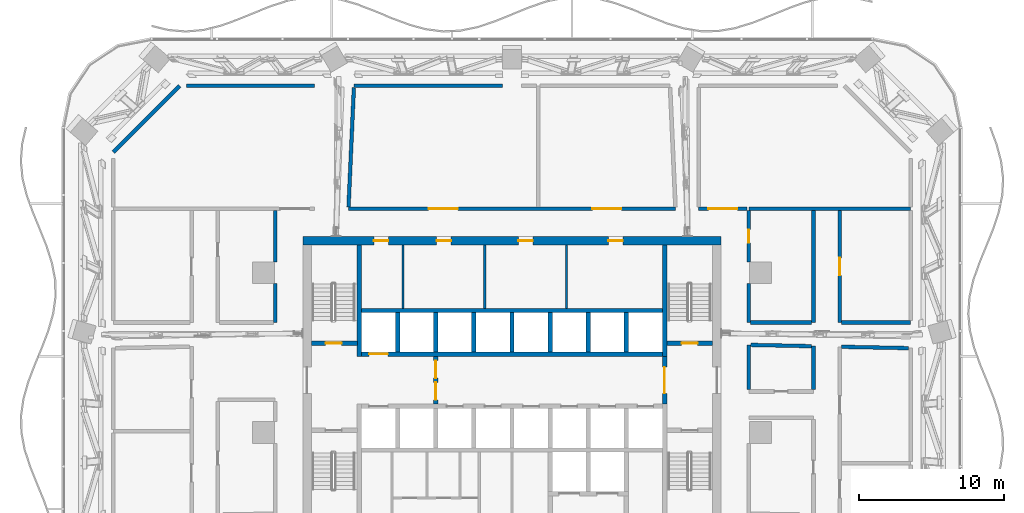
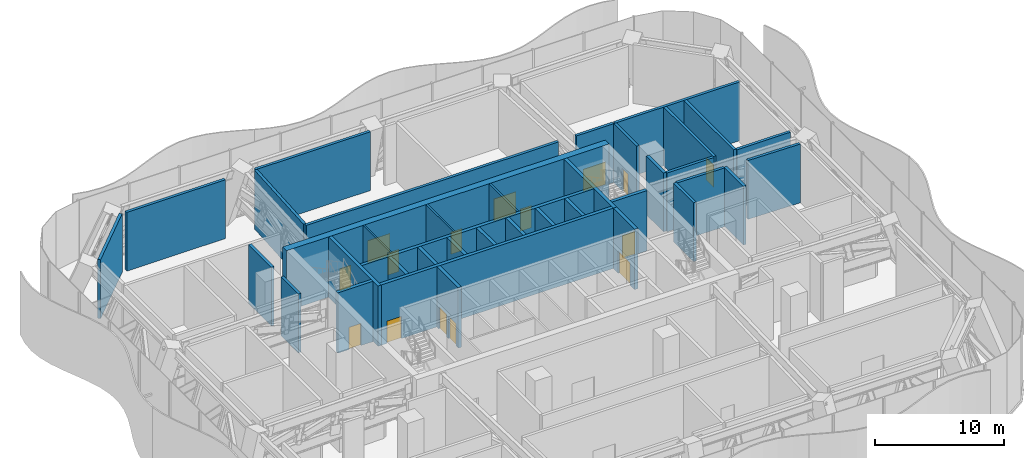
# One storey, part 13 of 32: 38 walls, 15 doors, 15 openings.
"""IFC4 building model written with IfcOpenShell, lengths in metres."""

from ifc_helpers import new_model, si_unit, direction, frame, frame_2d, origin, place, context, subcontext, project, spatial, rectangle, extrude, material, layer, layer_set, type_object, element, fill, save


model = new_model("IFC4")

# Units and contexts
model_context = context("Model", 3, precision=1e-05, world=origin(), true_north=direction((0.0, 1.0)))
body_context = subcontext(model_context, "Body", "Model", "MODEL_VIEW")
ifc_project = project(units=[si_unit("LENGTHUNIT", "METRE"), si_unit("AREAUNIT", "SQUARE_METRE"), si_unit("VOLUMEUNIT", "CUBIC_METRE"), si_unit("PLANEANGLEUNIT", "RADIAN"), si_unit("MASSUNIT", "GRAM", prefix="KILO")], contexts=[model_context])

# Site, building, storey
site_placement = place(None, origin())
site = spatial("IfcSite", under=ifc_project, at=site_placement, CompositionType="ELEMENT")
building_placement = place(site_placement, origin())
building = spatial("IfcBuilding", under=site, at=building_placement, Name="Mopane Tessera Tower", CompositionType="ELEMENT")
storey_placement = place(building_placement, frame((0.0, 0.0, 88.60009765625)))
storey = spatial("IfcBuildingStorey", under=building, at=storey_placement, Name="L17", CompositionType="ELEMENT", Elevation=88.60009765625)

# Walls
ifc_material_1 = material(Name="Fire-rated gypsum board partition")
ifc_layer_1 = layer(ifc_material_1, 0.14990234375)
ifc_layer_set_1 = layer_set([ifc_layer_1], Name="Fire-rated gypsum board partition")
wall_type_1 = type_object("IfcWallType", Name="Core room partition 150 mm", PredefinedType="PARTITIONING", material=ifc_layer_set_1)
for number, where, z_axis, x_axis, name in (
    (1, (-7.5, 8.550048828125, 0.0), (0.0, 0.0, 1.0), (0.0, 1.0, 0.0), "L17 Room partition"),
    (2, (-1.875, 8.550048828125, 0.0), (0.0, 0.0, 1.0), (0.0, 1.0, 0.0), "L17 Room partition"),
    (3, (3.75, 8.550048828125, 0.0), (0.0, 0.0, 1.0), (0.0, 1.0, 0.0), "L17 Room partition"),
):
    element("IfcWall", number, at=place(storey_placement, frame(where, z_axis=z_axis, x_axis=x_axis)), inside=storey, type_object=wall_type_1, Name=name, PredefinedType="PARTITIONING", context=body_context, shape_type="SweptSolid", body=[
        extrude(rectangle(XDim=4.349853515625, YDim=0.14990234375, at=frame_2d((2.1748046875, 0.0))), origin(), (0.0, 0.0, 1.0), 5.699951171875),
    ])

# Wall, openings, doors
ifc_material_2 = material(Name="Concrete C70/85", Category="concrete")
ifc_layer_2 = layer(ifc_material_2, 0.60009765625)
ifc_layer_set_2 = layer_set([ifc_layer_2], Name="Concrete C70/85")
wall_type_2 = type_object("IfcWallType", Name="Core shear wall 600 mm", PredefinedType="SHEAR", material=ifc_layer_set_2)
wall_1_placement = place(storey_placement, frame((-14.39990234375, 13.199951171875, 0.0), z_axis=(0.0, 0.0, 1.0), x_axis=(1.0, 0.0, 0.0)))
wall_1 = element("IfcWall", 4, at=wall_1_placement, inside=storey, type_object=wall_type_2, Name="L17 Core wall north", PredefinedType="SHEAR", context=body_context, shape_type="SweptSolid", body=[
    extrude(rectangle(XDim=28.7998046875, YDim=0.60009765625, at=frame_2d((14.39990234375, 0.0))), origin(), (0.0, 0.0, 1.0), 5.699951171875),
])
opening_1_placement = place(wall_1_placement, frame((4.89990234375, 0.0, 0.0)))
opening_1 = element("IfcOpeningElement", 5, at=opening_1_placement, cuts=wall_1, Name="Opening RD1", PredefinedType="OPENING", context=body_context, shape_type="SweptSolid", body=[
    extrude(rectangle(XDim=1.0, YDim=2.10009765625, at=frame_2d((0.5, 1.050048828125))), frame((0.0, 0.31201171875, 0.0), z_axis=(0.0, -1.0, 0.0), x_axis=(1.0, 0.0, 0.0)), (0.0, 0.0, 1.0), 0.6240234375),
])
opening_2_placement = place(wall_1_placement, frame((9.21240234375, 0.0, 0.0)))
opening_2 = element("IfcOpeningElement", 6, at=opening_2_placement, cuts=wall_1, Name="Opening RD1", PredefinedType="OPENING", context=body_context, shape_type="SweptSolid", body=[
    extrude(rectangle(XDim=1.0, YDim=2.10009765625, at=frame_2d((0.5, 1.050048828125))), frame((0.0, 0.31201171875, 0.0), z_axis=(0.0, -1.0, 0.0), x_axis=(1.0, 0.0, 0.0)), (0.0, 0.0, 1.0), 0.6240234375),
])
opening_3_placement = place(wall_1_placement, frame((14.83740234375, 0.0, 0.0)))
opening_3 = element("IfcOpeningElement", 7, at=opening_3_placement, cuts=wall_1, Name="Opening RD1", PredefinedType="OPENING", context=body_context, shape_type="SweptSolid", body=[
    extrude(rectangle(XDim=1.0, YDim=2.10009765625, at=frame_2d((0.5, 1.050048828125))), frame((0.0, 0.31201171875, 0.0), z_axis=(0.0, -1.0, 0.0), x_axis=(1.0, 0.0, 0.0)), (0.0, 0.0, 1.0), 0.6240234375),
])
opening_4_placement = place(wall_1_placement, frame((21.02490234375, 0.0, 0.0)))
opening_4 = element("IfcOpeningElement", 8, at=opening_4_placement, cuts=wall_1, Name="Opening RD1", PredefinedType="OPENING", context=body_context, shape_type="SweptSolid", body=[
    extrude(rectangle(XDim=1.0, YDim=2.10009765625, at=frame_2d((0.5, 1.050048828125))), frame((0.0, 0.31201171875, 0.0), z_axis=(0.0, -1.0, 0.0), x_axis=(1.0, 0.0, 0.0)), (0.0, 0.0, 1.0), 0.6240234375),
])
ifc_material_3 = material(Name="Timber door", Category="wood")
door_type_1 = type_object("IfcDoorType", Name="Core room door 1000 x 2100", OperationType="SINGLE_SWING_LEFT", PredefinedType="DOOR", material=ifc_material_3)
door_1_placement = place(opening_1_placement, origin())
door_1 = element("IfcDoor", 9, at=door_1_placement, inside=storey, type_object=door_type_1, Name="L17 Room door", OperationType="SINGLE_SWING_LEFT", OverallHeight=2.10009765625, OverallWidth=1.0, PredefinedType="DOOR", context=body_context, shape_type="SweptSolid", body=[
    extrude(rectangle(XDim=1.0, YDim=2.10009765625, at=frame_2d((0.5, 1.050048828125))), frame((0.0, 0.02490234375, 0.0), z_axis=(0.0, -1.0, 0.0), x_axis=(1.0, 0.0, 0.0)), (0.0, 0.0, 1.0), 0.050048828125),
])
fill(opening_1, door_1)
door_2_placement = place(opening_2_placement, origin())
door_2 = element("IfcDoor", 10, at=door_2_placement, inside=storey, type_object=door_type_1, Name="L17 Room door", OperationType="SINGLE_SWING_LEFT", OverallHeight=2.10009765625, OverallWidth=1.0, PredefinedType="DOOR", context=body_context, shape_type="SweptSolid", body=[
    extrude(rectangle(XDim=1.0, YDim=2.10009765625, at=frame_2d((0.5, 1.050048828125))), frame((0.0, 0.02490234375, 0.0), z_axis=(0.0, -1.0, 0.0), x_axis=(1.0, 0.0, 0.0)), (0.0, 0.0, 1.0), 0.050048828125),
])
fill(opening_2, door_2)
door_3_placement = place(opening_3_placement, origin())
door_3 = element("IfcDoor", 11, at=door_3_placement, inside=storey, type_object=door_type_1, Name="L17 Room door", OperationType="SINGLE_SWING_LEFT", OverallHeight=2.10009765625, OverallWidth=1.0, PredefinedType="DOOR", context=body_context, shape_type="SweptSolid", body=[
    extrude(rectangle(XDim=1.0, YDim=2.10009765625, at=frame_2d((0.5, 1.050048828125))), frame((0.0, 0.02490234375, 0.0), z_axis=(0.0, -1.0, 0.0), x_axis=(1.0, 0.0, 0.0)), (0.0, 0.0, 1.0), 0.050048828125),
])
fill(opening_3, door_3)
door_4_placement = place(opening_4_placement, origin())
door_4 = element("IfcDoor", 12, at=door_4_placement, inside=storey, type_object=door_type_1, Name="L17 Room door", OperationType="SINGLE_SWING_LEFT", OverallHeight=2.10009765625, OverallWidth=1.0, PredefinedType="DOOR", context=body_context, shape_type="SweptSolid", body=[
    extrude(rectangle(XDim=1.0, YDim=2.10009765625, at=frame_2d((0.5, 1.050048828125))), frame((0.0, 0.02490234375, 0.0), z_axis=(0.0, -1.0, 0.0), x_axis=(1.0, 0.0, 0.0)), (0.0, 0.0, 1.0), 0.050048828125),
])
fill(opening_4, door_4)

# Walls
ifc_material_4 = material(Name="Concrete C60/75", Category="concrete")
ifc_layer_3 = layer(ifc_material_4, 0.300048828125)
ifc_layer_set_3 = layer_set([ifc_layer_3], Name="Concrete C60/75")
wall_type_3 = type_object("IfcWallType", Name="Core spine wall 300 mm", PredefinedType="SHEAR", material=ifc_layer_set_3)
for number, where, z_axis, x_axis, name in (
    (13, (-10.5, 5.25, 0.0), (0.0, 0.0, 1.0), (0.0, 1.0, 0.0), "L17 Core spine wall"),
    (14, (10.5, 5.25, 0.0), (0.0, 0.0, 1.0), (0.0, 1.0, 0.0), "L17 Core spine wall"),
):
    element("IfcWall", number, at=place(storey_placement, frame(where, z_axis=z_axis, x_axis=x_axis)), inside=storey, type_object=wall_type_3, Name=name, PredefinedType="SHEAR", context=body_context, shape_type="SweptSolid", body=[
        extrude(rectangle(XDim=7.64990234375, YDim=0.300048828125, at=frame_2d((3.824951171875, 0.0))), origin(), (0.0, 0.0, 1.0), 5.699951171875),
    ])

# Wall, opening, door
ifc_material_5 = material(Name="Concrete C50/60", Category="concrete")
ifc_layer_4 = layer(ifc_material_5, 0.300048828125)
ifc_layer_set_4 = layer_set([ifc_layer_4], Name="Concrete C50/60")
wall_type_4 = type_object("IfcWallType", Name="Lift and stair shaft wall 300 mm", PredefinedType="SOLIDWALL", material=ifc_layer_set_4)
wall_2_placement = place(storey_placement, frame((-13.800048828125, 6.14990234375, 0.0), z_axis=(0.0, 0.0, 1.0), x_axis=(1.0, 0.0, 0.0)))
wall_2 = element("IfcWall", 15, at=wall_2_placement, inside=storey, type_object=wall_type_4, Name="L17 Stair enclosure wall", PredefinedType="SOLIDWALL", context=body_context, shape_type="SweptSolid", body=[
    extrude(rectangle(XDim=3.150146484375, YDim=0.300048828125, at=frame_2d((1.5751953125, 0.0))), origin(), (0.0, 0.0, 1.0), 5.699951171875),
])
opening_5_placement = place(wall_2_placement, frame((0.97509765625, 0.0, 0.0)))
opening_5 = element("IfcOpeningElement", 16, at=opening_5_placement, cuts=wall_2, Name="Opening SD1", PredefinedType="OPENING", context=body_context, shape_type="SweptSolid", body=[
    extrude(rectangle(XDim=1.10009765625, YDim=2.10009765625, at=frame_2d((0.550048828125, 1.050048828125))), frame((0.0, 0.162109375, 0.0), z_axis=(0.0, -1.0, 0.0), x_axis=(1.0, 0.0, 0.0)), (0.0, 0.0, 1.0), 0.323974609375),
])
ifc_material_6 = material(Name="Steel fire door", Category="steel")
door_type_2 = type_object("IfcDoorType", Name="Stair fire door 1100 x 2100", OperationType="SINGLE_SWING_LEFT", PredefinedType="DOOR", material=ifc_material_6)
door_5_placement = place(opening_5_placement, origin())
door_5 = element("IfcDoor", 17, at=door_5_placement, inside=storey, type_object=door_type_2, Name="L17 Stair door ST2", OperationType="SINGLE_SWING_LEFT", OverallHeight=2.10009765625, OverallWidth=1.10009765625, PredefinedType="DOOR", context=body_context, shape_type="SweptSolid", body=[
    extrude(rectangle(XDim=1.10009765625, YDim=2.10009765625, at=frame_2d((0.550048828125, 1.050048828125))), frame((0.0, 0.02490234375, 0.0), z_axis=(0.0, -1.0, 0.0), x_axis=(1.0, 0.0, 0.0)), (0.0, 0.0, 1.0), 0.050048828125),
])
fill(opening_5, door_5)

wall_3_placement = place(storey_placement, frame((10.64990234375, 6.14990234375, 0.0), z_axis=(0.0, 0.0, 1.0), x_axis=(1.0, 0.0, 0.0)))
wall_3 = element("IfcWall", 18, at=wall_3_placement, inside=storey, type_object=wall_type_4, Name="L17 Stair enclosure wall", PredefinedType="SOLIDWALL", context=body_context, shape_type="SweptSolid", body=[
    extrude(rectangle(XDim=3.150146484375, YDim=0.300048828125, at=frame_2d((1.5751953125, 0.0))), origin(), (0.0, 0.0, 1.0), 5.699951171875),
])
opening_6_placement = place(wall_3_placement, frame((1.02490234375, 0.0, 0.0)))
opening_6 = element("IfcOpeningElement", 19, at=opening_6_placement, cuts=wall_3, Name="Opening SD1", PredefinedType="OPENING", context=body_context, shape_type="SweptSolid", body=[
    extrude(rectangle(XDim=1.10009765625, YDim=2.10009765625, at=frame_2d((0.550048828125, 1.050048828125))), frame((0.0, 0.162109375, 0.0), z_axis=(0.0, -1.0, 0.0), x_axis=(1.0, 0.0, 0.0)), (0.0, 0.0, 1.0), 0.323974609375),
])
door_6_placement = place(opening_6_placement, origin())
door_6 = element("IfcDoor", 20, at=door_6_placement, inside=storey, type_object=door_type_2, Name="L17 Stair door ST4", OperationType="SINGLE_SWING_RIGHT", OverallHeight=2.10009765625, OverallWidth=1.10009765625, PredefinedType="DOOR", context=body_context, shape_type="SweptSolid", body=[
    extrude(rectangle(XDim=1.10009765625, YDim=2.10009765625, at=frame_2d((0.550048828125, 1.050048828125))), frame((0.0, 0.02490234375, 0.0), z_axis=(0.0, -1.0, 0.0), x_axis=(1.0, 0.0, 0.0)), (0.0, 0.0, 1.0), 0.050048828125),
])
fill(opening_6, door_6)

wall_4_placement = place(storey_placement, frame((-10.35009765625, 5.39990234375, 0.0), z_axis=(0.0, 0.0, 1.0), x_axis=(1.0, 0.0, 0.0)))
wall_4 = element("IfcWall", 21, at=wall_4_placement, inside=storey, type_object=wall_type_4, Name="L17 Lift shaft front wall", PredefinedType="SOLIDWALL", context=body_context, shape_type="SweptSolid", body=[
    extrude(rectangle(XDim=20.7001953125, YDim=0.300048828125, at=frame_2d((10.35009765625, 0.0))), origin(), (0.0, 0.0, 1.0), 5.699951171875),
])
opening_7_placement = place(wall_4_placement, frame((0.512451171875, 0.0, 0.0)))
opening_7 = element("IfcOpeningElement", 22, at=opening_7_placement, cuts=wall_4, Name="Opening LD2", PredefinedType="OPENING", context=body_context, shape_type="SweptSolid", body=[
    extrude(rectangle(XDim=1.300048828125, YDim=2.10009765625, at=frame_2d((0.64990234375, 1.050048828125))), frame((0.0, 0.162109375, 0.0), z_axis=(0.0, -1.0, 0.0), x_axis=(1.0, 0.0, 0.0)), (0.0, 0.0, 1.0), 0.323974609375),
])
ifc_material_7 = material(Name="Stainless steel sliding door", Category="steel")
door_type_3 = type_object("IfcDoorType", Name="Fire-fighting lift landing door 1300 x 2100", OperationType="DOUBLE_DOOR_SLIDING", PredefinedType="DOOR", material=ifc_material_7)
door_7_placement = place(opening_7_placement, origin())
door_7 = element("IfcDoor", 23, at=door_7_placement, inside=storey, type_object=door_type_3, Name="L17 Lift landing door FF2", OperationType="DOUBLE_DOOR_SLIDING", OverallHeight=2.10009765625, OverallWidth=1.300048828125, PredefinedType="DOOR", context=body_context, shape_type="SweptSolid", body=[
    extrude(rectangle(XDim=1.300048828125, YDim=2.10009765625, at=frame_2d((0.64990234375, 1.050048828125))), frame((0.0, 0.02490234375, 0.0), z_axis=(0.0, -1.0, 0.0), x_axis=(1.0, 0.0, 0.0)), (0.0, 0.0, 1.0), 0.050048828125),
])
fill(opening_7, door_7)

# Walls
wall_5_placement = place(storey_placement, frame((-10.35009765625, 8.39990234375, 0.0), z_axis=(0.0, 0.0, 1.0), x_axis=(1.0, 0.0, 0.0)))
element("IfcWall", 24, at=wall_5_placement, inside=storey, type_object=wall_type_4, Name="L17 Lift shaft rear wall", PredefinedType="SOLIDWALL", context=body_context, shape_type="SweptSolid", body=[
    extrude(rectangle(XDim=20.7001953125, YDim=0.300048828125, at=frame_2d((10.35009765625, 0.0))), origin(), (0.0, 0.0, 1.0), 5.699951171875),
])
for number, where, z_axis, x_axis, name in (
    (25, (-7.875, 5.550048828125, 0.0), (0.0, 0.0, 1.0), (0.0, 1.0, 0.0), "L17 Lift shaft wall"),
    (26, (-5.25, 5.550048828125, 0.0), (0.0, 0.0, 1.0), (0.0, 1.0, 0.0), "L17 Lift shaft wall"),
    (27, (-2.625, 5.550048828125, 0.0), (0.0, 0.0, 1.0), (0.0, 1.0, 0.0), "L17 Lift shaft wall"),
    (28, (0.0, 5.550048828125, 0.0), (0.0, 0.0, 1.0), (0.0, 1.0, 0.0), "L17 Lift shaft wall"),
    (29, (2.625, 5.550048828125, 0.0), (0.0, 0.0, 1.0), (0.0, 1.0, 0.0), "L17 Lift shaft wall"),
    (30, (5.25, 5.550048828125, 0.0), (0.0, 0.0, 1.0), (0.0, 1.0, 0.0), "L17 Lift shaft wall"),
    (31, (7.875, 5.550048828125, 0.0), (0.0, 0.0, 1.0), (0.0, 1.0, 0.0), "L17 Lift shaft wall"),
):
    element("IfcWall", number, at=place(storey_placement, frame(where, z_axis=z_axis, x_axis=x_axis)), inside=storey, type_object=wall_type_4, Name=name, PredefinedType="SOLIDWALL", context=body_context, shape_type="SweptSolid", body=[
        extrude(rectangle(XDim=2.699951171875, YDim=0.300048828125, at=frame_2d((1.35009765625, 0.0))), origin(), (0.0, 0.0, 1.0), 5.699951171875),
    ])

# Wall, openings, doors
ifc_material_8 = material(Name="Concrete C50/60", Category="concrete")
ifc_layer_5 = layer(ifc_material_8, 0.300048828125)
ifc_layer_set_5 = layer_set([ifc_layer_5], Name="Concrete C50/60")
wall_type_5 = type_object("IfcWallType", Name="Lobby and refuge room wall 300 mm", PredefinedType="SOLIDWALL", material=ifc_layer_set_5)
wall_6_placement = place(storey_placement, frame((-5.25, 1.949951171875, 0.0), z_axis=(0.0, 0.0, 1.0), x_axis=(0.0, 1.0, 0.0)))
wall_6 = element("IfcWall", 32, at=wall_6_placement, inside=storey, type_object=wall_type_5, Name="L17 Fire-fighting lobby wall", PredefinedType="SOLIDWALL", context=body_context, shape_type="SweptSolid", body=[
    extrude(rectangle(XDim=3.300048828125, YDim=0.300048828125, at=frame_2d((1.64990234375, 0.0))), origin(), (0.0, 0.0, 1.0), 5.699951171875),
])
opening_8_placement = place(wall_6_placement, frame((0.300048828125, 0.0, 0.0)))
opening_8 = element("IfcOpeningElement", 33, at=opening_8_placement, cuts=wall_6, Name="Opening SD3", PredefinedType="OPENING", context=body_context, shape_type="SweptSolid", body=[
    extrude(rectangle(XDim=1.199951171875, YDim=2.10009765625, at=frame_2d((0.60009765625, 1.050048828125))), frame((0.0, 0.162109375, 0.0), z_axis=(0.0, -1.0, 0.0), x_axis=(1.0, 0.0, 0.0)), (0.0, 0.0, 1.0), 0.323974609375),
])
opening_9_placement = place(wall_6_placement, frame((1.800048828125, 0.0, 0.0)))
opening_9 = element("IfcOpeningElement", 34, at=opening_9_placement, cuts=wall_6, Name="Opening SD3", PredefinedType="OPENING", context=body_context, shape_type="SweptSolid", body=[
    extrude(rectangle(XDim=1.199951171875, YDim=2.10009765625, at=frame_2d((0.60009765625, 1.050048828125))), frame((0.0, 0.162109375, 0.0), z_axis=(0.0, -1.0, 0.0), x_axis=(1.0, 0.0, 0.0)), (0.0, 0.0, 1.0), 0.323974609375),
])
ifc_material_9 = material(Name="Steel fire door", Category="steel")
door_type_4 = type_object("IfcDoorType", Name="Lobby fire door 1200 x 2100", OperationType="SINGLE_SWING_LEFT", PredefinedType="DOOR", material=ifc_material_9)
door_8_placement = place(opening_8_placement, origin())
door_8 = element("IfcDoor", 35, at=door_8_placement, inside=storey, type_object=door_type_4, Name="L17 Fire-fighting lobby door", OperationType="SINGLE_SWING_LEFT", OverallHeight=2.10009765625, OverallWidth=1.199951171875, PredefinedType="DOOR", context=body_context, shape_type="SweptSolid", body=[
    extrude(rectangle(XDim=1.199951171875, YDim=2.10009765625, at=frame_2d((0.60009765625, 1.050048828125))), frame((0.0, 0.02490234375, 0.0), z_axis=(0.0, -1.0, 0.0), x_axis=(1.0, 0.0, 0.0)), (0.0, 0.0, 1.0), 0.050048828125),
])
fill(opening_8, door_8)
door_9_placement = place(opening_9_placement, origin())
door_9 = element("IfcDoor", 36, at=door_9_placement, inside=storey, type_object=door_type_4, Name="L17 Fire-fighting lobby door", OperationType="SINGLE_SWING_RIGHT", OverallHeight=2.10009765625, OverallWidth=1.199951171875, PredefinedType="DOOR", context=body_context, shape_type="SweptSolid", body=[
    extrude(rectangle(XDim=1.199951171875, YDim=2.10009765625, at=frame_2d((0.60009765625, 1.050048828125))), frame((0.0, 0.02490234375, 0.0), z_axis=(0.0, -1.0, 0.0), x_axis=(1.0, 0.0, 0.0)), (0.0, 0.0, 1.0), 0.050048828125),
])
fill(opening_9, door_9)

# Wall, opening, door
wall_7_placement = place(storey_placement, frame((10.5, 1.949951171875, 0.0), z_axis=(0.0, 0.0, 1.0), x_axis=(0.0, 1.0, 0.0)))
wall_7 = element("IfcWall", 37, at=wall_7_placement, inside=storey, type_object=wall_type_5, Name="L17 Refuge room wall", PredefinedType="SOLIDWALL", context=body_context, shape_type="SweptSolid", body=[
    extrude(rectangle(XDim=3.300048828125, YDim=0.300048828125, at=frame_2d((1.64990234375, 0.0))), origin(), (0.0, 0.0, 1.0), 5.699951171875),
])
opening_10_placement = place(wall_7_placement, frame((0.75, 0.0, 0.0)))
opening_10 = element("IfcOpeningElement", 38, at=opening_10_placement, cuts=wall_7, Name="Opening SD4", PredefinedType="OPENING", context=body_context, shape_type="SweptSolid", body=[
    extrude(rectangle(XDim=1.800048828125, YDim=2.10009765625, at=frame_2d((0.89990234375, 1.050048828125))), frame((0.0, 0.162109375, 0.0), z_axis=(0.0, -1.0, 0.0), x_axis=(1.0, 0.0, 0.0)), (0.0, 0.0, 1.0), 0.323974609375),
])
ifc_material_10 = material(Name="Steel fire door", Category="steel")
door_type_5 = type_object("IfcDoorType", Name="Refuge room double door 1800 x 2100", OperationType="DOUBLE_DOOR_SINGLE_SWING", PredefinedType="DOOR", material=ifc_material_10)
door_10_placement = place(opening_10_placement, origin())
door_10 = element("IfcDoor", 39, at=door_10_placement, inside=storey, type_object=door_type_5, Name="L17 Refuge room door", OperationType="DOUBLE_DOOR_SINGLE_SWING", OverallHeight=2.10009765625, OverallWidth=1.800048828125, PredefinedType="DOOR", context=body_context, shape_type="SweptSolid", body=[
    extrude(rectangle(XDim=1.800048828125, YDim=2.10009765625, at=frame_2d((0.89990234375, 1.050048828125))), frame((0.0, 0.02490234375, 0.0), z_axis=(0.0, -1.0, 0.0), x_axis=(1.0, 0.0, 0.0)), (0.0, 0.0, 1.0), 0.050048828125),
])
fill(opening_10, door_10)

# Walls
ifc_material_11 = material(Name="Plastered concrete blockwork C20/25", Category="masonry")
ifc_layer_6 = layer(ifc_material_11, 0.25)
ifc_layer_set_6 = layer_set([ifc_layer_6], Name="Plastered concrete blockwork C20/25")
wall_type_6 = type_object("IfcWallType", Name="Plastered blockwork wall 250, rated EI 120", PredefinedType="PARTITIONING", material=ifc_layer_set_6)
wall_8_placement = place(storey_placement, frame((16.425048828125, 7.574951171875, 0.0), z_axis=(0.0, 0.0, 1.0), x_axis=(1.0, 0.0, 0.0)))
element("IfcWall", 40, at=wall_8_placement, inside=storey, type_object=wall_type_6, Name="Partition L17:023", PredefinedType="PARTITIONING", context=body_context, shape_type="SweptSolid", body=[
    extrude(rectangle(XDim=4.199951171875, YDim=0.25, at=frame_2d((2.10009765625, 0.0))), origin(), (0.0, 0.0, 1.0), 5.5498046875),
])
wall_9_placement = place(storey_placement, frame((22.675048828125, 7.574951171875, 0.0), z_axis=(0.0, 0.0, 1.0), x_axis=(1.0, 0.0, 0.0)))
element("IfcWall", 41, at=wall_9_placement, inside=storey, type_object=wall_type_6, Name="Partition L17:024", PredefinedType="PARTITIONING", context=body_context, shape_type="SweptSolid", body=[
    extrude(rectangle(XDim=4.7548828125, YDim=0.25, at=frame_2d((2.37744140625, 0.0))), origin(), (0.0, 0.0, 1.0), 5.5498046875),
])

# Wall, openings, doors
wall_10_placement = place(storey_placement, frame((-11.2548828125, 15.39990234375, 0.0), z_axis=(0.0, 0.0, 1.0), x_axis=(1.0, 0.0, 0.0)))
wall_10 = element("IfcWall", 42, at=wall_10_placement, inside=storey, type_object=wall_type_6, Name="Partition L17:026", PredefinedType="PARTITIONING", context=body_context, shape_type="SweptSolid", body=[
    extrude(rectangle(XDim=22.509765625, YDim=0.25, at=frame_2d((11.2548828125, 0.0))), origin(), (0.0, 0.0, 1.0), 5.5498046875),
])
opening_11_placement = place(wall_10_placement, frame((5.52490234375, 0.0, 0.0)))
opening_11 = element("IfcOpeningElement", 43, at=opening_11_placement, cuts=wall_10, Name="Opening L17-10", PredefinedType="OPENING", context=body_context, shape_type="SweptSolid", body=[
    extrude(rectangle(XDim=2.0, YDim=2.10009765625, at=frame_2d((1.0, 1.050048828125))), frame((0.0, 0.136962890625, 0.0), z_axis=(0.0, -1.0, 0.0), x_axis=(1.0, 0.0, 0.0)), (0.0, 0.0, 1.0), 0.27392578125),
])
opening_12_placement = place(wall_10_placement, frame((16.780029296875, 0.0, 0.0)))
opening_12 = element("IfcOpeningElement", 44, at=opening_12_placement, cuts=wall_10, Name="Opening L17-20", PredefinedType="OPENING", context=body_context, shape_type="SweptSolid", body=[
    extrude(rectangle(XDim=2.0, YDim=2.10009765625, at=frame_2d((1.0, 1.050048828125))), frame((0.0, 0.136962890625, 0.0), z_axis=(0.0, -1.0, 0.0), x_axis=(1.0, 0.0, 0.0)), (0.0, 0.0, 1.0), 0.27392578125),
])
ifc_material_12 = material(Name="Timber veneered steel-framed fire door", Category="steel")
door_type_6 = type_object("IfcDoorType", Name="Fire door pair FD120 2000 x 2100", OperationType="DOUBLE_DOOR_SINGLE_SWING", PredefinedType="DOOR", material=ifc_material_12)
door_11_placement = place(opening_11_placement, origin())
door_11 = element("IfcDoor", 45, at=door_11_placement, inside=storey, type_object=door_type_6, Name="Door L17-10", ObjectType="D25B", OperationType="DOUBLE_DOOR_SINGLE_SWING", OverallHeight=2.10009765625, OverallWidth=2.0, PredefinedType="DOOR", context=body_context, shape_type="SweptSolid", body=[
    extrude(rectangle(XDim=2.0, YDim=2.10009765625, at=frame_2d((1.0, 1.050048828125))), frame((0.0, 0.02490234375, 0.0), z_axis=(0.0, -1.0, 0.0), x_axis=(1.0, 0.0, 0.0)), (0.0, 0.0, 1.0), 0.050048828125),
])
fill(opening_11, door_11)
door_12_placement = place(opening_12_placement, origin())
door_12 = element("IfcDoor", 46, at=door_12_placement, inside=storey, type_object=door_type_6, Name="Door L17-20", ObjectType="D25B", OperationType="DOUBLE_DOOR_SINGLE_SWING", OverallHeight=2.10009765625, OverallWidth=2.0, PredefinedType="DOOR", context=body_context, shape_type="SweptSolid", body=[
    extrude(rectangle(XDim=2.0, YDim=2.10009765625, at=frame_2d((1.0, 1.050048828125))), frame((0.0, 0.02490234375, 0.0), z_axis=(0.0, -1.0, 0.0), x_axis=(1.0, 0.0, 0.0)), (0.0, 0.0, 1.0), 0.050048828125),
])
fill(opening_12, door_12)

# Wall, opening, door
wall_11_placement = place(storey_placement, frame((12.844970703125, 15.39990234375, 0.0), z_axis=(0.0, 0.0, 1.0), x_axis=(1.0, 0.0, 0.0)))
wall_11 = element("IfcWall", 47, at=wall_11_placement, inside=storey, type_object=wall_type_6, Name="Partition L17:027", PredefinedType="PARTITIONING", context=body_context, shape_type="SweptSolid", body=[
    extrude(rectangle(XDim=3.330078125, YDim=0.25, at=frame_2d((1.6650390625, 0.0))), origin(), (0.0, 0.0, 1.0), 5.5498046875),
])
opening_13_placement = place(wall_11_placement, frame((0.6650390625, 0.0, 0.0)))
opening_13 = element("IfcOpeningElement", 48, at=opening_13_placement, cuts=wall_11, Name="Opening L17-22", PredefinedType="OPENING", context=body_context, shape_type="SweptSolid", body=[
    extrude(rectangle(XDim=2.0, YDim=2.10009765625, at=frame_2d((1.0, 1.050048828125))), frame((0.0, 0.136962890625, 0.0), z_axis=(0.0, -1.0, 0.0), x_axis=(1.0, 0.0, 0.0)), (0.0, 0.0, 1.0), 0.27392578125),
])
door_13_placement = place(opening_13_placement, origin())
door_13 = element("IfcDoor", 49, at=door_13_placement, inside=storey, type_object=door_type_6, Name="Door L17-22", ObjectType="D25B", OperationType="DOUBLE_DOOR_SINGLE_SWING", OverallHeight=2.10009765625, OverallWidth=2.0, PredefinedType="DOOR", context=body_context, shape_type="SweptSolid", body=[
    extrude(rectangle(XDim=2.0, YDim=2.10009765625, at=frame_2d((1.0, 1.050048828125))), frame((0.0, 0.02490234375, 0.0), z_axis=(0.0, -1.0, 0.0), x_axis=(1.0, 0.0, 0.0)), (0.0, 0.0, 1.0), 0.050048828125),
])
fill(opening_13, door_13)

# Walls
wall_12_placement = place(storey_placement, frame((16.300048828125, 15.39990234375, 0.0), z_axis=(0.0, 0.0, 1.0), x_axis=(1.0, 0.0, 0.0)))
element("IfcWall", 50, at=wall_12_placement, inside=storey, type_object=wall_type_6, Name="Partition L17:028", PredefinedType="PARTITIONING", context=body_context, shape_type="SweptSolid", body=[
    extrude(rectangle(XDim=11.1298828125, YDim=0.25, at=frame_2d((5.56494140625, 0.0))), origin(), (0.0, 0.0, 1.0), 5.5498046875),
])
wall_13_placement = place(storey_placement, frame((-22.39990234375, 23.860107421875, 0.0), z_axis=(0.0, 0.0, 1.0), x_axis=(1.0, 0.0, 0.0)))
element("IfcWall", 51, at=wall_13_placement, inside=storey, type_object=wall_type_6, Name="Partition L17:029", PredefinedType="PARTITIONING", context=body_context, shape_type="SweptSolid", body=[
    extrude(rectangle(XDim=8.81982421875, YDim=0.25, at=frame_2d((4.409912109375, 0.0))), origin(), (0.0, 0.0, 1.0), 5.5498046875),
])
wall_14_placement = place(storey_placement, frame((-10.875, 23.860107421875, 0.0), z_axis=(0.0, 0.0, 1.0), x_axis=(1.0, 0.0, 0.0)))
element("IfcWall", 52, at=wall_14_placement, inside=storey, type_object=wall_type_6, Name="Partition L17:030", PredefinedType="PARTITIONING", context=body_context, shape_type="SweptSolid", body=[
    extrude(rectangle(XDim=10.22509765625, YDim=0.25, at=frame_2d((5.112548828125, 0.0))), origin(), (0.0, 0.0, 1.0), 5.5498046875),
])
wall_15_placement = place(storey_placement, frame((-16.300048828125, 7.574951171875, 0.0), z_axis=(0.0, 0.0, 1.0), x_axis=(0.0, 1.0, 0.0)))
element("IfcWall", 53, at=wall_15_placement, inside=storey, type_object=wall_type_6, Name="Partition L17:046", PredefinedType="PARTITIONING", context=body_context, shape_type="SweptSolid", body=[
    extrude(rectangle(XDim=2.675048828125, YDim=0.25, at=frame_2d((1.33740234375, 0.0))), origin(), (0.0, 0.0, 1.0), 5.5498046875),
])
wall_16_placement = place(storey_placement, frame((-16.300048828125, 11.75, 0.0), z_axis=(0.0, 0.0, 1.0), x_axis=(0.0, 1.0, 0.0)))
element("IfcWall", 54, at=wall_16_placement, inside=storey, type_object=wall_type_6, Name="Partition L17:047", PredefinedType="PARTITIONING", context=body_context, shape_type="SweptSolid", body=[
    extrude(rectangle(XDim=3.52490234375, YDim=0.25, at=frame_2d((1.762451171875, 0.0))), origin(), (0.0, 0.0, 1.0), 5.5498046875),
])
wall_17_placement = place(storey_placement, frame((16.300048828125, 2.949951171875, 0.0), z_axis=(0.0, 0.0, 1.0), x_axis=(0.0, 1.0, 0.0)))
element("IfcWall", 55, at=wall_17_placement, inside=storey, type_object=wall_type_6, Name="Partition L17:058", PredefinedType="PARTITIONING", context=body_context, shape_type="SweptSolid", body=[
    extrude(rectangle(XDim=3.0849609375, YDim=0.25, at=frame_2d((1.54248046875, 0.0))), origin(), (0.0, 0.0, 1.0), 5.5498046875),
])
wall_18_placement = place(storey_placement, frame((16.300048828125, 7.574951171875, 0.0), z_axis=(0.0, 0.0, 1.0), x_axis=(0.0, 1.0, 0.0)))
element("IfcWall", 56, at=wall_18_placement, inside=storey, type_object=wall_type_6, Name="Partition L17:059", PredefinedType="PARTITIONING", context=body_context, shape_type="SweptSolid", body=[
    extrude(rectangle(XDim=2.675048828125, YDim=0.25, at=frame_2d((1.33740234375, 0.0))), origin(), (0.0, 0.0, 1.0), 5.5498046875),
])

# Wall, opening, door
wall_19_placement = place(storey_placement, frame((16.300048828125, 11.75, 0.0), z_axis=(0.0, 0.0, 1.0), x_axis=(0.0, 1.0, 0.0)))
wall_19 = element("IfcWall", 57, at=wall_19_placement, inside=storey, type_object=wall_type_6, Name="Partition L17:060", PredefinedType="PARTITIONING", context=body_context, shape_type="SweptSolid", body=[
    extrude(rectangle(XDim=3.52490234375, YDim=0.25, at=frame_2d((1.762451171875, 0.0))), origin(), (0.0, 0.0, 1.0), 5.5498046875),
])
opening_14_placement = place(wall_19_placement, frame((1.3125, 0.0, 0.0)))
opening_14 = element("IfcOpeningElement", 58, at=opening_14_placement, cuts=wall_19, Name="Opening L17-21", PredefinedType="OPENING", context=body_context, shape_type="SweptSolid", body=[
    extrude(rectangle(XDim=0.89990234375, YDim=2.10009765625, at=frame_2d((0.449951171875, 1.050048828125))), frame((0.0, 0.136962890625, 0.0), z_axis=(0.0, -1.0, 0.0), x_axis=(1.0, 0.0, 0.0)), (0.0, 0.0, 1.0), 0.27392578125),
])
ifc_material_13 = material(Name="Timber veneered steel-framed fire door", Category="steel")
door_type_7 = type_object("IfcDoorType", Name="Fire door FD120 900 x 2100", OperationType="SINGLE_SWING_LEFT", PredefinedType="DOOR", material=ifc_material_13)
door_14_placement = place(opening_14_placement, origin())
door_14 = element("IfcDoor", 59, at=door_14_placement, inside=storey, type_object=door_type_7, Name="Door L17-21", ObjectType="D10B", OperationType="SINGLE_SWING_RIGHT", OverallHeight=2.10009765625, OverallWidth=0.89990234375, PredefinedType="DOOR", context=body_context, shape_type="SweptSolid", body=[
    extrude(rectangle(XDim=0.89990234375, YDim=2.10009765625, at=frame_2d((0.449951171875, 1.050048828125))), frame((0.0, 0.02490234375, 0.0), z_axis=(0.0, -1.0, 0.0), x_axis=(1.0, 0.0, 0.0)), (0.0, 0.0, 1.0), 0.050048828125),
])
fill(opening_14, door_14)

# Walls
wall_20_placement = place(storey_placement, frame((20.75, 2.949951171875, 0.0), z_axis=(0.0, 0.0, 1.0), x_axis=(0.0, 1.0, 0.0)))
element("IfcWall", 60, at=wall_20_placement, inside=storey, type_object=wall_type_6, Name="Partition L17:063", PredefinedType="PARTITIONING", context=body_context, shape_type="SweptSolid", body=[
    extrude(rectangle(XDim=2.989990234375, YDim=0.25, at=frame_2d((1.4951171875, 0.0))), origin(), (0.0, 0.0, 1.0), 5.5498046875),
])
wall_21_placement = place(storey_placement, frame((20.75, 7.574951171875, 0.0), z_axis=(0.0, 0.0, 1.0), x_axis=(0.0, 1.0, 0.0)))
element("IfcWall", 61, at=wall_21_placement, inside=storey, type_object=wall_type_6, Name="Partition L17:064", PredefinedType="PARTITIONING", context=body_context, shape_type="SweptSolid", body=[
    extrude(rectangle(XDim=7.699951171875, YDim=0.25, at=frame_2d((3.85009765625, 0.0))), origin(), (0.0, 0.0, 1.0), 5.5498046875),
])

# Wall, opening, door
wall_22_placement = place(storey_placement, frame((22.550048828125, 7.574951171875, 0.0), z_axis=(0.0, 0.0, 1.0), x_axis=(0.0, 1.0, 0.0)))
wall_22 = element("IfcWall", 62, at=wall_22_placement, inside=storey, type_object=wall_type_6, Name="Partition L17:066", PredefinedType="PARTITIONING", context=body_context, shape_type="SweptSolid", body=[
    extrude(rectangle(XDim=7.699951171875, YDim=0.25, at=frame_2d((3.85009765625, 0.0))), origin(), (0.0, 0.0, 1.0), 5.5498046875),
])
opening_15_placement = place(wall_22_placement, frame((3.25, 0.0, 0.0)))
opening_15 = element("IfcOpeningElement", 63, at=opening_15_placement, cuts=wall_22, Name="Opening L17-07", PredefinedType="OPENING", context=body_context, shape_type="SweptSolid", body=[
    extrude(rectangle(XDim=1.199951171875, YDim=2.10009765625, at=frame_2d((0.60009765625, 1.050048828125))), frame((0.0, 0.136962890625, 0.0), z_axis=(0.0, -1.0, 0.0), x_axis=(1.0, 0.0, 0.0)), (0.0, 0.0, 1.0), 0.27392578125),
])
ifc_material_14 = material(Name="Timber veneered steel-framed fire door", Category="steel")
door_type_8 = type_object("IfcDoorType", Name="Fire door FD120 1200 x 2100", OperationType="SINGLE_SWING_LEFT", PredefinedType="DOOR", material=ifc_material_14)
door_15_placement = place(opening_15_placement, origin())
door_15 = element("IfcDoor", 64, at=door_15_placement, inside=storey, type_object=door_type_8, Name="Door L17-07", ObjectType="D15B", OperationType="SINGLE_SWING_RIGHT", OverallHeight=2.10009765625, OverallWidth=1.199951171875, PredefinedType="DOOR", context=body_context, shape_type="SweptSolid", body=[
    extrude(rectangle(XDim=1.199951171875, YDim=2.10009765625, at=frame_2d((0.60009765625, 1.050048828125))), frame((0.0, 0.02490234375, 0.0), z_axis=(0.0, -1.0, 0.0), x_axis=(1.0, 0.0, 0.0)), (0.0, 0.0, 1.0), 0.050048828125),
])
fill(opening_15, door_15)

# Walls
wall_23_placement = place(storey_placement, frame((22.679931640625, 5.902099609375, 0.0), z_axis=(0.0, 0.0, 1.0), x_axis=(0.999793114147, -0.020340327042, 0.0)))
element("IfcWall", 65, at=wall_23_placement, inside=storey, type_object=wall_type_6, Name="Partition L17:077", PredefinedType="PARTITIONING", context=body_context, shape_type="SweptSolid", body=[
    extrude(rectangle(XDim=4.62109375, YDim=0.25, at=frame_2d((2.310546875, 0.0))), origin(), (0.0, 0.0, 1.0), 5.5498046875),
])
wall_24_placement = place(storey_placement, frame((-11.2490234375, 15.530029296875, 0.0), z_axis=(0.0, 0.0, 1.0), x_axis=(0.044823454024, 0.998994923896, 0.0)))
element("IfcWall", 66, at=wall_24_placement, inside=storey, type_object=wall_type_6, Name="Partition L17:079", PredefinedType="PARTITIONING", context=body_context, shape_type="SweptSolid", body=[
    extrude(rectangle(XDim=8.208251953125, YDim=0.25, at=frame_2d((4.10400390625, 0.0))), origin(), (0.0, 0.0, 1.0), 5.5498046875),
])
wall_25_placement = place(storey_placement, frame((16.429931640625, 6.031982421875, 0.0), z_axis=(0.0, 0.0, 1.0), x_axis=(0.99977517744, -0.021203645318, 0.0)))
element("IfcWall", 67, at=wall_25_placement, inside=storey, type_object=wall_type_6, Name="Partition L17:080", PredefinedType="PARTITIONING", context=body_context, shape_type="SweptSolid", body=[
    extrude(rectangle(XDim=4.191162109375, YDim=0.25, at=frame_2d((2.095703125, 0.0))), origin(), (0.0, 0.0, 1.0), 5.5498046875),
])
wall_26_placement = place(storey_placement, frame((-27.429931640625, 19.300048828125, 0.0), z_axis=(0.0, 0.0, 1.0), x_axis=(0.707087851559, 0.707125710308, 0.0)))
element("IfcWall", 68, at=wall_26_placement, inside=storey, type_object=wall_type_6, Name="Partition L17:081", PredefinedType="PARTITIONING", context=body_context, shape_type="SweptSolid", body=[
    extrude(rectangle(XDim=6.44873046875, YDim=0.25, at=frame_2d((3.224365234375, 0.0))), origin(), (0.0, 0.0, 1.0), 5.5498046875),
])

save(model, "model.ifc")
